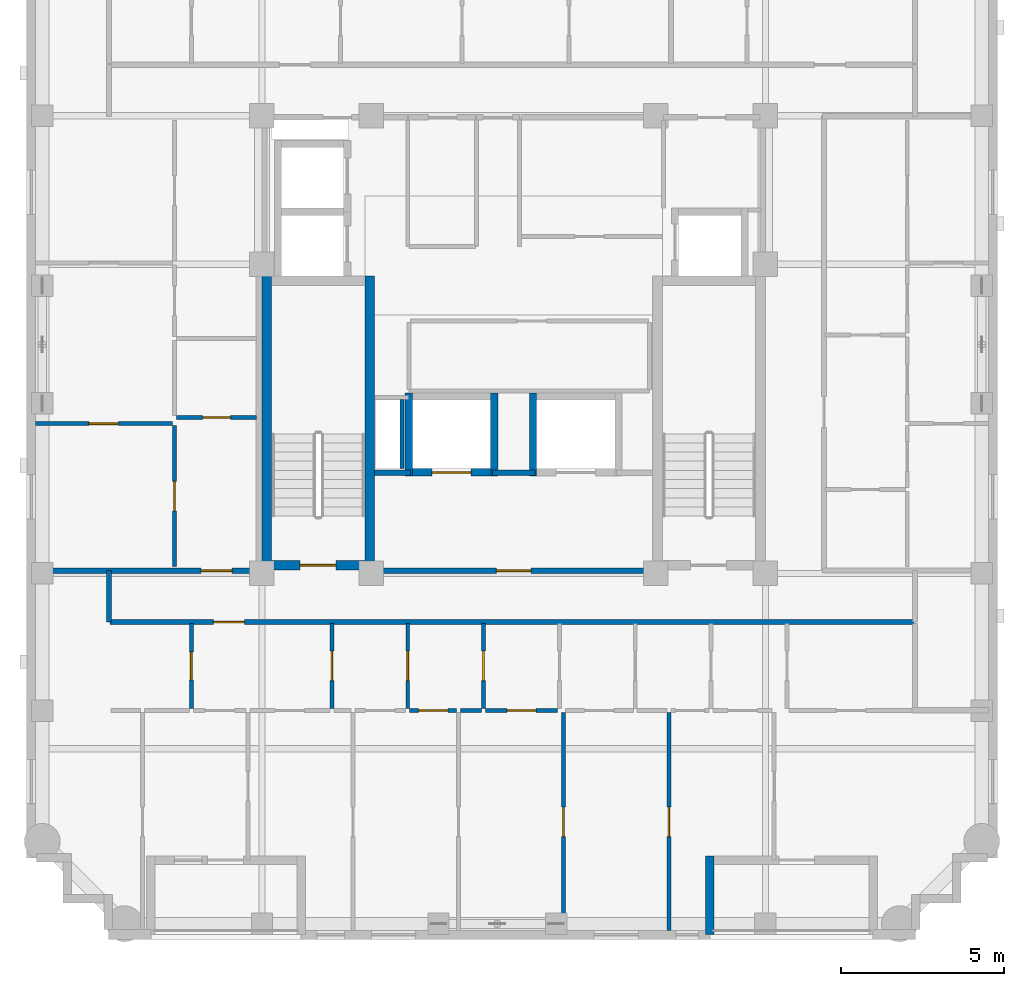
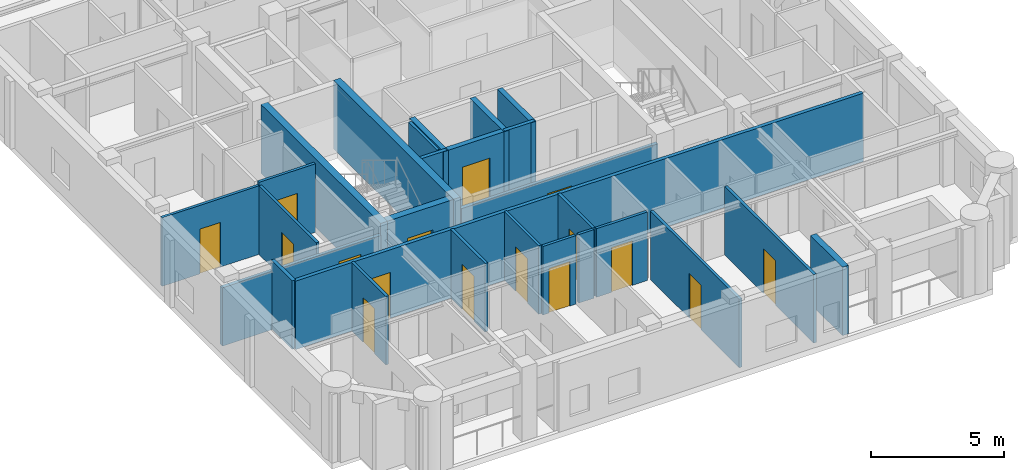
# One storey, part 3 of 11: 27 walls, 16 doors, 16 openings.
"""IFC4 building model written with IfcOpenShell, lengths in metres."""

from ifc_helpers import new_model, si_unit, derived_unit, direction, frame, frame_2d, origin, place, context, subcontext, project, spatial, rectangle, extrude, material, layer, layer_set, type_object, element, fill, save


model = new_model("IFC4")

# Units and contexts
model_context = context("Model", 3, precision=1e-05, world=origin(), true_north=direction((0.0, 1.0)))
body_context = subcontext(model_context, "Body", "Model", "MODEL_VIEW")
ifc_project = project(units=[si_unit("LENGTHUNIT", "METRE"), si_unit("AREAUNIT", "SQUARE_METRE"), si_unit("VOLUMEUNIT", "CUBIC_METRE"), si_unit("PLANEANGLEUNIT", "RADIAN"), si_unit("MASSUNIT", "GRAM", prefix="KILO"), derived_unit("THERMALTRANSMITTANCEUNIT", [(si_unit("MASSUNIT", "GRAM", prefix="KILO"), 1), (si_unit("TIMEUNIT", "SECOND"), -3), (si_unit("THERMODYNAMICTEMPERATUREUNIT", "KELVIN"), -1)])], contexts=[model_context])

# Site, building, storey
site_placement = place(None, origin())
site = spatial("IfcSite", under=ifc_project, at=site_placement, CompositionType="ELEMENT")
building_placement = place(site_placement, origin())
building = spatial("IfcBuilding", under=site, at=building_placement, Name="Korrvale Station Residences", CompositionType="ELEMENT")
storey_placement = place(building_placement, frame((0.0, 0.0, 227.5)))
storey = spatial("IfcBuildingStorey", under=building, at=storey_placement, Name="L66", CompositionType="ELEMENT", Elevation=227.5)

# Walls
ifc_material_1 = material(Name="Concrete C50/60", Category="concrete")
ifc_layer_1 = layer(ifc_material_1, 0.300048828125, Name="Concrete C50/60")
ifc_layer_set_1 = layer_set([ifc_layer_1], Name="Concrete C50/60")
wall_type_1 = type_object("IfcWallType", Name="WAL-CORE-300-C50", PredefinedType="SHEAR", material=ifc_layer_set_1)
for number, where, z_axis, x_axis, name in (
    (1, (17.949951171875, 15.10009765625, 0.0), (0.0, 0.0, 1.0), (0.0, 1.0, 0.0), "L66 ST-1 Core Shear Wall West"),
    (2, (21.10009765625, 15.10009765625, 0.0), (0.0, 0.0, 1.0), (0.0, 1.0, 0.0), "L66 ST-1 Core Shear Wall East"),
):
    element("IfcWall", number, at=place(storey_placement, frame(where, z_axis=z_axis, x_axis=x_axis)), inside=storey, type_object=wall_type_1, Name=name, PredefinedType="SHEAR", context=body_context, shape_type="SweptSolid", body=[
        extrude(rectangle(XDim=9.0, YDim=0.300048828125, at=frame_2d((4.5, 0.0))), origin(), (0.0, 0.0, 1.0), 3.139892578125),
    ])

# Wall, opening, door
wall_1_placement = place(storey_placement, frame((18.10009765625, 15.25, 0.0), z_axis=(0.0, 0.0, 1.0), x_axis=(1.0, 0.0, 0.0)))
wall_1 = element("IfcWall", 3, at=wall_1_placement, inside=storey, type_object=wall_type_1, Name="L66 ST-1 Core Shear Wall South", PredefinedType="SHEAR", context=body_context, shape_type="SweptSolid", body=[
    extrude(rectangle(XDim=2.849853515625, YDim=0.300048828125, at=frame_2d((1.4248046875, 0.0))), origin(), (0.0, 0.0, 1.0), 3.139892578125),
])
opening_1_placement = place(wall_1_placement, frame((0.860107421875, 0.0, 0.0)))
opening_1 = element("IfcOpeningElement", 4, at=opening_1_placement, cuts=wall_1, Name="Opening SD-1100", PredefinedType="OPENING", context=body_context, shape_type="SweptSolid", body=[
    extrude(rectangle(XDim=1.10009765625, YDim=2.050048828125, at=frame_2d((0.550048828125, 1.02490234375))), frame((0.0, 0.16015625, 0.0), z_axis=(0.0, -1.0, 0.0), x_axis=(1.0, 0.0, 0.0)), (0.0, 0.0, 1.0), 0.320068359375),
])
ifc_material_2 = material(Name="Hollow-metal fire-rated stair door with closer", Category="steel")
door_type_1 = type_object("IfcDoorType", Name="DR-STAIR-1100", OperationType="NOTDEFINED", PredefinedType="DOOR", material=ifc_material_2)
door_1_placement = place(opening_1_placement, origin())
door_1 = element("IfcDoor", 5, at=door_1_placement, inside=storey, type_object=door_type_1, Name="L66 ST-1 Exit Stair Door", OperationType="SINGLE_SWING_LEFT", OverallHeight=2.050048828125, OverallWidth=1.10009765625, PredefinedType="DOOR", context=body_context, shape_type="SweptSolid", body=[
    extrude(rectangle(XDim=1.10009765625, YDim=2.050048828125, at=frame_2d((0.550048828125, 1.02490234375))), frame((0.0, 0.02490234375, 0.0), z_axis=(0.0, -1.0, 0.0), x_axis=(1.0, 0.0, 0.0)), (0.0, 0.0, 1.0), 0.050048828125),
])
fill(opening_1, door_1)

# Walls
ifc_material_3 = material(Name="Precast concrete C45/55", Category="concrete")
ifc_layer_2 = layer(ifc_material_3, 0.260009765625, Name="Precast concrete C45/55")
ifc_layer_set_2 = layer_set([ifc_layer_2], Name="Precast concrete C45/55")
wall_type_2 = type_object("IfcWallType", Name="WAL-EXT-LOG260", PredefinedType="SOLIDWALL", material=ifc_layer_set_2)
wall_2_placement = place(storey_placement, frame((31.5, 6.360107421875, 0.0), z_axis=(0.0, 0.0, 1.0), x_axis=(0.0, -1.0, 0.0)))
element("IfcWall", 6, at=wall_2_placement, inside=storey, type_object=wall_type_2, Name="L66 Recessed Loggia Wall BAL-L66-S2-R", PredefinedType="SOLIDWALL", context=body_context, shape_type="SweptSolid", body=[
    extrude(rectangle(XDim=2.400146484375, YDim=0.260009765625, at=frame_2d((1.2001953125, 0.0))), origin(), (0.0, 0.0, 1.0), 3.139892578125),
])
ifc_material_4 = material(Name="Acoustic steel-stud gypsum board partition", Category="steel")
ifc_layer_3 = layer(ifc_material_4, 0.1201171875, Name="Acoustic steel-stud gypsum board partition")
ifc_layer_set_3 = layer_set([ifc_layer_3], Name="Acoustic steel-stud gypsum board partition")
wall_type_3 = type_object("IfcWallType", Name="WAL-PART-125", PredefinedType="PARTITIONING", material=ifc_layer_set_3)
wall_3_placement = place(storey_placement, frame((22.080078125, 18.199951171875, 0.0), z_axis=(0.0, 0.0, 1.0), x_axis=(0.0, 1.0, 0.0)))
element("IfcWall", 7, at=wall_3_placement, inside=storey, type_object=wall_type_3, Name="L66 Core Partition CW-RSWT", PredefinedType="PARTITIONING", context=body_context, shape_type="SweptSolid", body=[
    extrude(rectangle(XDim=2.1201171875, YDim=0.1201171875, at=frame_2d((1.06005859375, 0.0))), origin(), (0.0, 0.0, 1.0), 3.139892578125),
])

# Wall, opening, door
wall_4_placement = place(storey_placement, frame((15.639892578125, 10.8701171875, 0.0), z_axis=(0.0, 0.0, 1.0), x_axis=(0.0, 1.0, 0.0)))
wall_4 = element("IfcWall", 8, at=wall_4_placement, inside=storey, type_object=wall_type_3, Name="L66 Suite Partition U01-V01", PredefinedType="PARTITIONING", context=body_context, shape_type="SweptSolid", body=[
    extrude(rectangle(XDim=2.599853515625, YDim=0.1201171875, at=frame_2d((1.2998046875, 0.0))), origin(), (0.0, 0.0, 1.0), 3.139892578125),
])
opening_2_placement = place(wall_4_placement, frame((0.8701171875, 0.0, 0.0)))
opening_2 = element("IfcOpeningElement", 9, at=opening_2_placement, cuts=wall_4, Name="Opening DB-860", PredefinedType="OPENING", context=body_context, shape_type="SweptSolid", body=[
    extrude(rectangle(XDim=0.860107421875, YDim=2.050048828125, at=frame_2d((0.43017578125, 1.02490234375))), frame((0.0, 0.070068359375, 0.0), z_axis=(0.0, -1.0, 0.0), x_axis=(1.0, 0.0, 0.0)), (0.0, 0.0, 1.0), 0.14013671875),
])
ifc_material_5 = material(Name="Moisture-resistant solid-core bathroom door", Category="timber")
door_type_2 = type_object("IfcDoorType", Name="DR-BATH-860", OperationType="NOTDEFINED", PredefinedType="DOOR", material=ifc_material_5)
door_2_placement = place(opening_2_placement, origin())
door_2 = element("IfcDoor", 10, at=door_2_placement, inside=storey, type_object=door_type_2, Name="L66 Studio Apartment L66-U01 Bathroom Door", OperationType="SINGLE_SWING_LEFT", OverallHeight=2.050048828125, OverallWidth=0.860107421875, PredefinedType="DOOR", context=body_context, shape_type="SweptSolid", body=[
    extrude(rectangle(XDim=0.860107421875, YDim=2.050048828125, at=frame_2d((0.43017578125, 1.02490234375))), frame((0.0, 0.02490234375, 0.0), z_axis=(0.0, -1.0, 0.0), x_axis=(1.0, 0.0, 0.0)), (0.0, 0.0, 1.0), 0.050048828125),
])
fill(opening_2, door_2)

wall_5_placement = place(storey_placement, frame((19.93994140625, 10.8701171875, 0.0), z_axis=(0.0, 0.0, 1.0), x_axis=(0.0, 1.0, 0.0)))
wall_5 = element("IfcWall", 11, at=wall_5_placement, inside=storey, type_object=wall_type_3, Name="L66 Suite Partition U01-V12", PredefinedType="PARTITIONING", context=body_context, shape_type="SweptSolid", body=[
    extrude(rectangle(XDim=2.599853515625, YDim=0.1201171875, at=frame_2d((1.2998046875, 0.0))), origin(), (0.0, 0.0, 1.0), 3.139892578125),
])
opening_3_placement = place(wall_5_placement, frame((0.85009765625, 0.0, 0.0)))
opening_3 = element("IfcOpeningElement", 12, at=opening_3_placement, cuts=wall_5, Name="Opening DI-900", PredefinedType="OPENING", context=body_context, shape_type="SweptSolid", body=[
    extrude(rectangle(XDim=0.89990234375, YDim=2.050048828125, at=frame_2d((0.449951171875, 1.02490234375))), frame((0.0, 0.070068359375, 0.0), z_axis=(0.0, -1.0, 0.0), x_axis=(1.0, 0.0, 0.0)), (0.0, 0.0, 1.0), 0.14013671875),
])
ifc_material_6 = material(Name="Painted solid-core timber interior room door", Category="wood")
door_type_3 = type_object("IfcDoorType", Name="DR-INT-900", OperationType="NOTDEFINED", PredefinedType="DOOR", material=ifc_material_6)
door_3_placement = place(opening_3_placement, origin())
door_3 = element("IfcDoor", 13, at=door_3_placement, inside=storey, type_object=door_type_3, Name="L66 Studio Apartment L66-U01 Kitchen Door", OperationType="SINGLE_SWING_RIGHT", OverallHeight=2.050048828125, OverallWidth=0.89990234375, PredefinedType="DOOR", context=body_context, shape_type="SweptSolid", body=[
    extrude(rectangle(XDim=0.89990234375, YDim=2.050048828125, at=frame_2d((0.449951171875, 1.02490234375))), frame((0.0, 0.02490234375, 0.0), z_axis=(0.0, -1.0, 0.0), x_axis=(1.0, 0.0, 0.0)), (0.0, 0.0, 1.0), 0.050048828125),
])
fill(opening_3, door_3)

wall_6_placement = place(storey_placement, frame((22.260009765625, 10.8701171875, 0.0), z_axis=(0.0, 0.0, 1.0), x_axis=(0.0, 1.0, 0.0)))
wall_6 = element("IfcWall", 14, at=wall_6_placement, inside=storey, type_object=wall_type_3, Name="L66 Suite Partition U01-V23", PredefinedType="PARTITIONING", context=body_context, shape_type="SweptSolid", body=[
    extrude(rectangle(XDim=2.599853515625, YDim=0.1201171875, at=frame_2d((1.2998046875, 0.0))), origin(), (0.0, 0.0, 1.0), 3.139892578125),
])
opening_4_placement = place(wall_6_placement, frame((0.85009765625, 0.0, 0.0)))
opening_4 = element("IfcOpeningElement", 15, at=opening_4_placement, cuts=wall_6, Name="Opening DI-900", PredefinedType="OPENING", context=body_context, shape_type="SweptSolid", body=[
    extrude(rectangle(XDim=0.89990234375, YDim=2.050048828125, at=frame_2d((0.449951171875, 1.02490234375))), frame((0.0, 0.070068359375, 0.0), z_axis=(0.0, -1.0, 0.0), x_axis=(1.0, 0.0, 0.0)), (0.0, 0.0, 1.0), 0.14013671875),
])
door_4_placement = place(opening_4_placement, origin())
door_4 = element("IfcDoor", 16, at=door_4_placement, inside=storey, type_object=door_type_3, Name="L66 Studio Apartment L66-U01 Wardrobe Storage Room Door", OperationType="SINGLE_SWING_LEFT", OverallHeight=2.050048828125, OverallWidth=0.89990234375, PredefinedType="DOOR", context=body_context, shape_type="SweptSolid", body=[
    extrude(rectangle(XDim=0.89990234375, YDim=2.050048828125, at=frame_2d((0.449951171875, 1.02490234375))), frame((0.0, 0.02490234375, 0.0), z_axis=(0.0, -1.0, 0.0), x_axis=(1.0, 0.0, 0.0)), (0.0, 0.0, 1.0), 0.050048828125),
])
fill(opening_4, door_4)

wall_7_placement = place(storey_placement, frame((24.580078125, 10.8701171875, 0.0), z_axis=(0.0, 0.0, 1.0), x_axis=(0.0, 1.0, 0.0)))
wall_7 = element("IfcWall", 17, at=wall_7_placement, inside=storey, type_object=wall_type_3, Name="L66 Suite Partition U01-V34", PredefinedType="PARTITIONING", context=body_context, shape_type="SweptSolid", body=[
    extrude(rectangle(XDim=2.599853515625, YDim=0.1201171875, at=frame_2d((1.2998046875, 0.0))), origin(), (0.0, 0.0, 1.0), 3.139892578125),
])
opening_5_placement = place(wall_7_placement, frame((0.85009765625, 0.0, 0.0)))
opening_5 = element("IfcOpeningElement", 18, at=opening_5_placement, cuts=wall_7, Name="Opening DI-900", PredefinedType="OPENING", context=body_context, shape_type="SweptSolid", body=[
    extrude(rectangle(XDim=0.89990234375, YDim=2.050048828125, at=frame_2d((0.449951171875, 1.02490234375))), frame((0.0, 0.070068359375, 0.0), z_axis=(0.0, -1.0, 0.0), x_axis=(1.0, 0.0, 0.0)), (0.0, 0.0, 1.0), 0.14013671875),
])
door_5_placement = place(opening_5_placement, origin())
door_5 = element("IfcDoor", 19, at=door_5_placement, inside=storey, type_object=door_type_3, Name="L66 Studio Apartment L66-U01 Wardrobe Storage Room Door", OperationType="SINGLE_SWING_LEFT", OverallHeight=2.050048828125, OverallWidth=0.89990234375, PredefinedType="DOOR", context=body_context, shape_type="SweptSolid", body=[
    extrude(rectangle(XDim=0.89990234375, YDim=2.050048828125, at=frame_2d((0.449951171875, 1.02490234375))), frame((0.0, 0.02490234375, 0.0), z_axis=(0.0, -1.0, 0.0), x_axis=(1.0, 0.0, 0.0)), (0.0, 0.0, 1.0), 0.050048828125),
])
fill(opening_5, door_5)

wall_8_placement = place(storey_placement, frame((22.320068359375, 10.81005859375, 0.0), z_axis=(0.0, 0.0, 1.0), x_axis=(1.0, 0.0, 0.0)))
wall_8 = element("IfcWall", 20, at=wall_8_placement, inside=storey, type_object=wall_type_3, Name="L66 Suite Partition U01-H312", PredefinedType="PARTITIONING", context=body_context, shape_type="SweptSolid", body=[
    extrude(rectangle(XDim=1.429931640625, YDim=0.1201171875, at=frame_2d((0.71484375, 0.0))), origin(), (0.0, 0.0, 1.0), 3.139892578125),
])
opening_6_placement = place(wall_8_placement, frame((0.264892578125, 0.0, 0.0)))
opening_6 = element("IfcOpeningElement", 21, at=opening_6_placement, cuts=wall_8, Name="Opening DI-900", PredefinedType="OPENING", context=body_context, shape_type="SweptSolid", body=[
    extrude(rectangle(XDim=0.89990234375, YDim=2.050048828125, at=frame_2d((0.449951171875, 1.02490234375))), frame((0.0, 0.070068359375, 0.0), z_axis=(0.0, -1.0, 0.0), x_axis=(1.0, 0.0, 0.0)), (0.0, 0.0, 1.0), 0.14013671875),
])
door_6_placement = place(opening_6_placement, origin())
door_6 = element("IfcDoor", 22, at=door_6_placement, inside=storey, type_object=door_type_3, Name="L66 Studio Apartment L66-U01 Wardrobe Storage Room Door", OperationType="SINGLE_SWING_RIGHT", OverallHeight=2.050048828125, OverallWidth=0.89990234375, PredefinedType="DOOR", context=body_context, shape_type="SweptSolid", body=[
    extrude(rectangle(XDim=0.89990234375, YDim=2.050048828125, at=frame_2d((0.449951171875, 1.02490234375))), frame((0.0, 0.02490234375, 0.0), z_axis=(0.0, -1.0, 0.0), x_axis=(1.0, 0.0, 0.0)), (0.0, 0.0, 1.0), 0.050048828125),
])
fill(opening_6, door_6)

# Wall
wall_9_placement = place(storey_placement, frame((23.8701171875, 10.81005859375, 0.0), z_axis=(0.0, 0.0, 1.0), x_axis=(1.0, 0.0, 0.0)))
element("IfcWall", 23, at=wall_9_placement, inside=storey, type_object=wall_type_3, Name="L66 Suite Partition U01-H313", PredefinedType="PARTITIONING", context=body_context, shape_type="SweptSolid", body=[
    extrude(rectangle(XDim=0.64990234375, YDim=0.1201171875, at=frame_2d((0.324951171875, 0.0))), origin(), (0.0, 0.0, 1.0), 3.139892578125),
])

# Wall, opening, door
wall_10_placement = place(storey_placement, frame((24.639892578125, 10.81005859375, 0.0), z_axis=(0.0, 0.0, 1.0), x_axis=(1.0, 0.0, 0.0)))
wall_10 = element("IfcWall", 24, at=wall_10_placement, inside=storey, type_object=wall_type_3, Name="L66 Suite Partition U01-H413", PredefinedType="PARTITIONING", context=body_context, shape_type="SweptSolid", body=[
    extrude(rectangle(XDim=2.2001953125, YDim=0.1201171875, at=frame_2d((1.10009765625, 0.0))), origin(), (0.0, 0.0, 1.0), 3.139892578125),
])
opening_7_placement = place(wall_10_placement, frame((0.64990234375, 0.0, 0.0)))
opening_7 = element("IfcOpeningElement", 25, at=opening_7_placement, cuts=wall_10, Name="Opening DI-900", PredefinedType="OPENING", context=body_context, shape_type="SweptSolid", body=[
    extrude(rectangle(XDim=0.89990234375, YDim=2.050048828125, at=frame_2d((0.449951171875, 1.02490234375))), frame((0.0, 0.070068359375, 0.0), z_axis=(0.0, -1.0, 0.0), x_axis=(1.0, 0.0, 0.0)), (0.0, 0.0, 1.0), 0.14013671875),
])
door_7_placement = place(opening_7_placement, origin())
door_7 = element("IfcDoor", 26, at=door_7_placement, inside=storey, type_object=door_type_3, Name="L66 Studio Apartment L66-U01 Wardrobe Storage Room Door", OperationType="SINGLE_SWING_RIGHT", OverallHeight=2.050048828125, OverallWidth=0.89990234375, PredefinedType="DOOR", context=body_context, shape_type="SweptSolid", body=[
    extrude(rectangle(XDim=0.89990234375, YDim=2.050048828125, at=frame_2d((0.449951171875, 1.02490234375))), frame((0.0, 0.02490234375, 0.0), z_axis=(0.0, -1.0, 0.0), x_axis=(1.0, 0.0, 0.0)), (0.0, 0.0, 1.0), 0.050048828125),
])
fill(opening_7, door_7)

wall_11_placement = place(storey_placement, frame((27.030029296875, 4.080078125, 0.0), z_axis=(0.0, 0.0, 1.0), x_axis=(0.0, 1.0, 0.0)))
wall_11 = element("IfcWall", 27, at=wall_11_placement, inside=storey, type_object=wall_type_3, Name="L66 Suite Partition U01-V1314", PredefinedType="PARTITIONING", context=body_context, shape_type="SweptSolid", body=[
    extrude(rectangle(XDim=6.669921875, YDim=0.1201171875, at=frame_2d((3.3349609375, 0.0))), origin(), (0.0, 0.0, 1.0), 3.139892578125),
])
opening_8_placement = place(wall_11_placement, frame((2.8701171875, 0.0, 0.0)))
opening_8 = element("IfcOpeningElement", 28, at=opening_8_placement, cuts=wall_11, Name="Opening DI-900", PredefinedType="OPENING", context=body_context, shape_type="SweptSolid", body=[
    extrude(rectangle(XDim=0.89990234375, YDim=2.050048828125, at=frame_2d((0.449951171875, 1.02490234375))), frame((0.0, 0.070068359375, 0.0), z_axis=(0.0, -1.0, 0.0), x_axis=(1.0, 0.0, 0.0)), (0.0, 0.0, 1.0), 0.14013671875),
])
door_8_placement = place(opening_8_placement, origin())
door_8 = element("IfcDoor", 29, at=door_8_placement, inside=storey, type_object=door_type_3, Name="L66 Studio Apartment L66-U01 Walk-In Wardrobe Door", OperationType="SINGLE_SWING_RIGHT", OverallHeight=2.050048828125, OverallWidth=0.89990234375, PredefinedType="DOOR", context=body_context, shape_type="SweptSolid", body=[
    extrude(rectangle(XDim=0.89990234375, YDim=2.050048828125, at=frame_2d((0.449951171875, 1.02490234375))), frame((0.0, 0.02490234375, 0.0), z_axis=(0.0, -1.0, 0.0), x_axis=(1.0, 0.0, 0.0)), (0.0, 0.0, 1.0), 0.050048828125),
])
fill(opening_8, door_8)

wall_12_placement = place(storey_placement, frame((30.25, 4.080078125, 0.0), z_axis=(0.0, 0.0, 1.0), x_axis=(0.0, 1.0, 0.0)))
wall_12 = element("IfcWall", 30, at=wall_12_placement, inside=storey, type_object=wall_type_3, Name="L66 Suite Partition U01-V1415", PredefinedType="PARTITIONING", context=body_context, shape_type="SweptSolid", body=[
    extrude(rectangle(XDim=6.669921875, YDim=0.1201171875, at=frame_2d((3.3349609375, 0.0))), origin(), (0.0, 0.0, 1.0), 3.139892578125),
])
opening_9_placement = place(wall_12_placement, frame((2.8701171875, 0.0, 0.0)))
opening_9 = element("IfcOpeningElement", 31, at=opening_9_placement, cuts=wall_12, Name="Opening DI-900", PredefinedType="OPENING", context=body_context, shape_type="SweptSolid", body=[
    extrude(rectangle(XDim=0.89990234375, YDim=2.050048828125, at=frame_2d((0.449951171875, 1.02490234375))), frame((0.0, 0.070068359375, 0.0), z_axis=(0.0, -1.0, 0.0), x_axis=(1.0, 0.0, 0.0)), (0.0, 0.0, 1.0), 0.14013671875),
])
door_9_placement = place(opening_9_placement, origin())
door_9 = element("IfcDoor", 32, at=door_9_placement, inside=storey, type_object=door_type_3, Name="L66 Studio Apartment L66-U01 Formal Dining Room Door", OperationType="SINGLE_SWING_LEFT", OverallHeight=2.050048828125, OverallWidth=0.89990234375, PredefinedType="DOOR", context=body_context, shape_type="SweptSolid", body=[
    extrude(rectangle(XDim=0.89990234375, YDim=2.050048828125, at=frame_2d((0.449951171875, 1.02490234375))), frame((0.0, 0.02490234375, 0.0), z_axis=(0.0, -1.0, 0.0), x_axis=(1.0, 0.0, 0.0)), (0.0, 0.0, 1.0), 0.050048828125),
])
fill(opening_9, door_9)

wall_13_placement = place(storey_placement, frame((15.18994140625, 19.77001953125, 0.0), z_axis=(0.0, 0.0, 1.0), x_axis=(1.0, 0.0, 0.0)))
wall_13 = element("IfcWall", 33, at=wall_13_placement, inside=storey, type_object=wall_type_3, Name="L66 Suite Partition U04-H12", PredefinedType="PARTITIONING", context=body_context, shape_type="SweptSolid", body=[
    extrude(rectangle(XDim=2.449951171875, YDim=0.1201171875, at=frame_2d((1.22509765625, 0.0))), origin(), (0.0, 0.0, 1.0), 3.139892578125),
])
opening_10_placement = place(wall_13_placement, frame((0.794921875, 0.0, 0.0)))
opening_10 = element("IfcOpeningElement", 34, at=opening_10_placement, cuts=wall_13, Name="Opening DB-860", PredefinedType="OPENING", context=body_context, shape_type="SweptSolid", body=[
    extrude(rectangle(XDim=0.860107421875, YDim=2.050048828125, at=frame_2d((0.43017578125, 1.02490234375))), frame((0.0, 0.070068359375, 0.0), z_axis=(0.0, -1.0, 0.0), x_axis=(1.0, 0.0, 0.0)), (0.0, 0.0, 1.0), 0.14013671875),
])
door_10_placement = place(opening_10_placement, origin())
door_10 = element("IfcDoor", 35, at=door_10_placement, inside=storey, type_object=door_type_2, Name="L66 Apartment 2BR L66-U04 Bathroom Door", OperationType="SINGLE_SWING_LEFT", OverallHeight=2.050048828125, OverallWidth=0.860107421875, PredefinedType="DOOR", context=body_context, shape_type="SweptSolid", body=[
    extrude(rectangle(XDim=0.860107421875, YDim=2.050048828125, at=frame_2d((0.43017578125, 1.02490234375))), frame((0.0, 0.02490234375, 0.0), z_axis=(0.0, -1.0, 0.0), x_axis=(1.0, 0.0, 0.0)), (0.0, 0.0, 1.0), 0.050048828125),
])
fill(opening_10, door_10)

wall_14_placement = place(storey_placement, frame((15.1298828125, 15.2099609375, 0.0), z_axis=(0.0, 0.0, 1.0), x_axis=(0.0, 1.0, 0.0)))
wall_14 = element("IfcWall", 36, at=wall_14_placement, inside=storey, type_object=wall_type_3, Name="L66 Suite Partition U04-V23", PredefinedType="PARTITIONING", context=body_context, shape_type="SweptSolid", body=[
    extrude(rectangle(XDim=4.30810546875, YDim=0.1201171875, at=frame_2d((2.154052734375, 0.0))), origin(), (0.0, 0.0, 1.0), 3.139892578125),
])
opening_11_placement = place(wall_14_placement, frame((1.7041015625, 0.0, 0.0)))
opening_11 = element("IfcOpeningElement", 37, at=opening_11_placement, cuts=wall_14, Name="Opening DI-900", PredefinedType="OPENING", context=body_context, shape_type="SweptSolid", body=[
    extrude(rectangle(XDim=0.89990234375, YDim=2.050048828125, at=frame_2d((0.449951171875, 1.02490234375))), frame((0.0, 0.070068359375, 0.0), z_axis=(0.0, -1.0, 0.0), x_axis=(1.0, 0.0, 0.0)), (0.0, 0.0, 1.0), 0.14013671875),
])
door_11_placement = place(opening_11_placement, origin())
door_11 = element("IfcDoor", 38, at=door_11_placement, inside=storey, type_object=door_type_3, Name="L66 Apartment 2BR L66-U04 Kitchen Door", OperationType="SINGLE_SWING_RIGHT", OverallHeight=2.050048828125, OverallWidth=0.89990234375, PredefinedType="DOOR", context=body_context, shape_type="SweptSolid", body=[
    extrude(rectangle(XDim=0.89990234375, YDim=2.050048828125, at=frame_2d((0.449951171875, 1.02490234375))), frame((0.0, 0.02490234375, 0.0), z_axis=(0.0, -1.0, 0.0), x_axis=(1.0, 0.0, 0.0)), (0.0, 0.0, 1.0), 0.050048828125),
])
fill(opening_11, door_11)

wall_15_placement = place(storey_placement, frame((10.8798828125, 19.577880859375, 0.0), z_axis=(0.0, 0.0, 1.0), x_axis=(1.0, 0.0, 0.0)))
wall_15 = element("IfcWall", 39, at=wall_15_placement, inside=storey, type_object=wall_type_3, Name="L66 Suite Partition U04-H34", PredefinedType="PARTITIONING", context=body_context, shape_type="SweptSolid", body=[
    extrude(rectangle(XDim=4.190185546875, YDim=0.1201171875, at=frame_2d((2.09521484375, 0.0))), origin(), (0.0, 0.0, 1.0), 3.139892578125),
])
opening_12_placement = place(wall_15_placement, frame((1.6298828125, 0.0, 0.0)))
opening_12 = element("IfcOpeningElement", 40, at=opening_12_placement, cuts=wall_15, Name="Opening DI-900", PredefinedType="OPENING", context=body_context, shape_type="SweptSolid", body=[
    extrude(rectangle(XDim=0.89990234375, YDim=2.050048828125, at=frame_2d((0.449951171875, 1.02490234375))), frame((0.0, 0.070068359375, 0.0), z_axis=(0.0, -1.0, 0.0), x_axis=(1.0, 0.0, 0.0)), (0.0, 0.0, 1.0), 0.14013671875),
])
door_12_placement = place(opening_12_placement, origin())
door_12 = element("IfcDoor", 41, at=door_12_placement, inside=storey, type_object=door_type_3, Name="L66 Apartment 2BR L66-U04 Bedroom 1 Door", OperationType="SINGLE_SWING_LEFT", OverallHeight=2.050048828125, OverallWidth=0.89990234375, PredefinedType="DOOR", context=body_context, shape_type="SweptSolid", body=[
    extrude(rectangle(XDim=0.89990234375, YDim=2.050048828125, at=frame_2d((0.449951171875, 1.02490234375))), frame((0.0, 0.02490234375, 0.0), z_axis=(0.0, -1.0, 0.0), x_axis=(1.0, 0.0, 0.0)), (0.0, 0.0, 1.0), 0.050048828125),
])
fill(opening_12, door_12)

ifc_material_7 = material(Name="Fire-rated twin-stud gypsum and mineral wool shaftwall assembly", Category="gypsum")
ifc_layer_4 = layer(ifc_material_7, 0.159912109375, Name="Fire-rated twin-stud gypsum and mineral wool shaftwall assembly")
ifc_layer_set_4 = layer_set([ifc_layer_4], Name="Fire-rated twin-stud gypsum and mineral wool shaftwall assembly")
wall_type_4 = type_object("IfcWallType", Name="WAL-PART-200", PredefinedType="PARTITIONING", material=ifc_layer_set_4)
wall_16_placement = place(storey_placement, frame((21.25, 15.080078125, 0.0), z_axis=(0.0, 0.0, 1.0), x_axis=(1.0, 0.0, 0.0)))
wall_16 = element("IfcWall", 42, at=wall_16_placement, inside=storey, type_object=wall_type_4, Name="L66 Core Partition CW-FFL-S", PredefinedType="PARTITIONING", context=body_context, shape_type="SweptSolid", body=[
    extrude(rectangle(XDim=8.5, YDim=0.159912109375, at=frame_2d((4.25, 0.0))), origin(), (0.0, 0.0, 1.0), 2.66796875),
])
opening_13_placement = place(wall_16_placement, frame((3.72509765625, 0.0, 0.0)))
opening_13 = element("IfcOpeningElement", 43, at=opening_13_placement, cuts=wall_16, Name="Opening FD-1050", PredefinedType="OPENING", context=body_context, shape_type="SweptSolid", body=[
    extrude(rectangle(XDim=1.050048828125, YDim=2.050048828125, at=frame_2d((0.52490234375, 1.02490234375))), frame((0.0, 0.08984375, 0.0), z_axis=(0.0, -1.0, 0.0), x_axis=(1.0, 0.0, 0.0)), (0.0, 0.0, 1.0), 0.179931640625),
])
ifc_material_8 = material(Name="Fire-rated mineral-core timber lobby door", Category="wood")
door_type_4 = type_object("IfcDoorType", Name="DR-CORE-1050", OperationType="NOTDEFINED", PredefinedType="DOOR", material=ifc_material_8)
door_13_placement = place(opening_13_placement, origin())
door_13 = element("IfcDoor", 44, at=door_13_placement, inside=storey, type_object=door_type_4, Name="L66 Firefighting Lobby Entry Door", OperationType="SINGLE_SWING_RIGHT", OverallHeight=2.050048828125, OverallWidth=1.050048828125, PredefinedType="DOOR", context=body_context, shape_type="SweptSolid", body=[
    extrude(rectangle(XDim=1.050048828125, YDim=2.050048828125, at=frame_2d((0.52490234375, 1.02490234375))), frame((0.0, 0.02490234375, 0.0), z_axis=(0.0, -1.0, 0.0), x_axis=(1.0, 0.0, 0.0)), (0.0, 0.0, 1.0), 0.050048828125),
])
fill(opening_13, door_13)

# Walls
wall_17_placement = place(storey_placement, frame((21.25, 18.080078125, 0.0), z_axis=(0.0, 0.0, 1.0), x_axis=(1.0, 0.0, 0.0)))
element("IfcWall", 45, at=wall_17_placement, inside=storey, type_object=wall_type_4, Name="L66 Core Partition CW-FFL-N1", PredefinedType="PARTITIONING", context=body_context, shape_type="SweptSolid", body=[
    extrude(rectangle(XDim=1.10009765625, YDim=0.159912109375, at=frame_2d((0.550048828125, 0.0))), origin(), (0.0, 0.0, 1.0), 3.139892578125),
])
wall_18_placement = place(storey_placement, frame((24.85009765625, 18.080078125, 0.0), z_axis=(0.0, 0.0, 1.0), x_axis=(1.0, 0.0, 0.0)))
element("IfcWall", 46, at=wall_18_placement, inside=storey, type_object=wall_type_4, Name="L66 Core Partition CW-FFL-N2", PredefinedType="PARTITIONING", context=body_context, shape_type="SweptSolid", body=[
    extrude(rectangle(XDim=1.2998046875, YDim=0.159912109375, at=frame_2d((0.64990234375, 0.0))), origin(), (0.0, 0.0, 1.0), 3.139892578125),
])
wall_19_placement = place(storey_placement, frame((13.1201171875, 13.510009765625, 0.0), z_axis=(0.0, 0.0, 1.0), x_axis=(0.0, 1.0, 0.0)))
element("IfcWall", 47, at=wall_19_placement, inside=storey, type_object=wall_type_4, Name="L66 Corridor South West Cap", PredefinedType="PARTITIONING", context=body_context, shape_type="SweptSolid", body=[
    extrude(rectangle(XDim=1.580078125, YDim=0.159912109375, at=frame_2d((0.7900390625, 0.0))), origin(), (0.0, 0.0, 1.0), 3.139892578125),
])

# Wall, opening, door
wall_20_placement = place(storey_placement, frame((10.8798828125, 15.080078125, 0.0), z_axis=(0.0, 0.0, 1.0), x_axis=(1.0, 0.0, 0.0)))
wall_20 = element("IfcWall", 48, at=wall_20_placement, inside=storey, type_object=wall_type_4, Name="L66 Side Suite South Entry Wall U04", PredefinedType="PARTITIONING", context=body_context, shape_type="SweptSolid", body=[
    extrude(rectangle(XDim=6.880126953125, YDim=0.159912109375, at=frame_2d((3.43994140625, 0.0))), origin(), (0.0, 0.0, 1.0), 2.66796875),
])
opening_14_placement = place(wall_20_placement, frame((5.06005859375, 0.0, 0.0)))
opening_14 = element("IfcOpeningElement", 49, at=opening_14_placement, cuts=wall_20, Name="Opening UD-950", PredefinedType="OPENING", context=body_context, shape_type="SweptSolid", body=[
    extrude(rectangle(XDim=0.949951171875, YDim=2.10009765625, at=frame_2d((0.47509765625, 1.050048828125))), frame((0.0, 0.08984375, 0.0), z_axis=(0.0, -1.0, 0.0), x_axis=(1.0, 0.0, 0.0)), (0.0, 0.0, 1.0), 0.179931640625),
])
ifc_material_9 = material(Name="Solid-core acoustic oak apartment entrance door", Category="timber")
door_type_5 = type_object("IfcDoorType", Name="DR-UNIT-950", OperationType="NOTDEFINED", PredefinedType="DOOR", material=ifc_material_9)
door_14_placement = place(opening_14_placement, origin())
door_14 = element("IfcDoor", 50, at=door_14_placement, inside=storey, type_object=door_type_5, Name="L66 Apartment L66-U04 Entrance Door", OperationType="SINGLE_SWING_RIGHT", OverallHeight=2.10009765625, OverallWidth=0.949951171875, PredefinedType="DOOR", context=body_context, shape_type="SweptSolid", body=[
    extrude(rectangle(XDim=0.949951171875, YDim=2.10009765625, at=frame_2d((0.47509765625, 1.050048828125))), frame((0.0, 0.02490234375, 0.0), z_axis=(0.0, -1.0, 0.0), x_axis=(1.0, 0.0, 0.0)), (0.0, 0.0, 1.0), 0.050048828125),
])
fill(opening_14, door_14)

wall_21_placement = place(storey_placement, frame((13.14990234375, 13.510009765625, 0.0), z_axis=(0.0, 0.0, 1.0), x_axis=(1.0, 0.0, 0.0)))
wall_21 = element("IfcWall", 51, at=wall_21_placement, inside=storey, type_object=wall_type_4, Name="L66 Rated Corridor Wall S", PredefinedType="PARTITIONING", context=body_context, shape_type="SweptSolid", body=[
    extrude(rectangle(XDim=24.60009765625, YDim=0.159912109375, at=frame_2d((12.300048828125, 0.0))), origin(), (0.0, 0.0, 1.0), 3.139892578125),
])
opening_15_placement = place(wall_21_placement, frame((3.1650390625, 0.0, 0.0)))
opening_15 = element("IfcOpeningElement", 52, at=opening_15_placement, cuts=wall_21, Name="Opening UD-950", PredefinedType="OPENING", context=body_context, shape_type="SweptSolid", body=[
    extrude(rectangle(XDim=0.949951171875, YDim=2.10009765625, at=frame_2d((0.47509765625, 1.050048828125))), frame((0.0, 0.08984375, 0.0), z_axis=(0.0, -1.0, 0.0), x_axis=(1.0, 0.0, 0.0)), (0.0, 0.0, 1.0), 0.179931640625),
])
door_15_placement = place(opening_15_placement, origin())
door_15 = element("IfcDoor", 53, at=door_15_placement, inside=storey, type_object=door_type_5, Name="L66 Apartment L66-U01 Entrance Door", OperationType="SINGLE_SWING_LEFT", OverallHeight=2.10009765625, OverallWidth=0.949951171875, PredefinedType="DOOR", context=body_context, shape_type="SweptSolid", body=[
    extrude(rectangle(XDim=0.949951171875, YDim=2.10009765625, at=frame_2d((0.47509765625, 1.050048828125))), frame((0.0, 0.02490234375, 0.0), z_axis=(0.0, -1.0, 0.0), x_axis=(1.0, 0.0, 0.0)), (0.0, 0.0, 1.0), 0.050048828125),
])
fill(opening_15, door_15)

ifc_layer_5 = layer(ifc_material_1, 0.219970703125, Name="Concrete C50/60")
ifc_layer_set_5 = layer_set([ifc_layer_5], Name="Concrete C50/60")
wall_type_5 = type_object("IfcWallType", Name="WAL-SHAFT-220-C50", PredefinedType="SHEAR", material=ifc_layer_set_5)
wall_22_placement = place(storey_placement, frame((22.39990234375, 18.090087890625, 0.0), z_axis=(0.0, 0.0, 1.0), x_axis=(1.0, 0.0, 0.0)))
wall_22 = element("IfcWall", 54, at=wall_22_placement, inside=storey, type_object=wall_type_5, Name="L66 Elevator FFL-1 Hoistway Wall South", PredefinedType="SHEAR", context=body_context, shape_type="SweptSolid", body=[
    extrude(rectangle(XDim=2.400146484375, YDim=0.219970703125, at=frame_2d((1.2001953125, 0.0))), origin(), (0.0, 0.0, 1.0), 3.139892578125),
])
opening_16_placement = place(wall_22_placement, frame((0.60009765625, 0.0, 0.0)))
opening_16 = element("IfcOpeningElement", 55, at=opening_16_placement, cuts=wall_22, Name="Opening LD-FF1200", PredefinedType="OPENING", context=body_context, shape_type="SweptSolid", body=[
    extrude(rectangle(XDim=1.199951171875, YDim=2.14990234375, at=frame_2d((0.60009765625, 1.074951171875))), frame((0.0, 0.1201171875, 0.0), z_axis=(0.0, -1.0, 0.0), x_axis=(1.0, 0.0, 0.0)), (0.0, 0.0, 1.0), 0.239990234375),
])
ifc_material_10 = material(Name="Stainless-steel firefighter elevator landing sliding door", Category="steel")
door_type_6 = type_object("IfcDoorType", Name="DR-LIFT-FF1200", OperationType="SLIDING_TO_LEFT", PredefinedType="DOOR", material=ifc_material_10)
door_16_placement = place(opening_16_placement, origin())
door_16 = element("IfcDoor", 56, at=door_16_placement, inside=storey, type_object=door_type_6, Name="L66 Elevator FFL-1 Sliding Landing Door", OperationType="SLIDING_TO_LEFT", OverallHeight=2.14990234375, OverallWidth=1.199951171875, PredefinedType="DOOR", context=body_context, shape_type="SweptSolid", body=[
    extrude(rectangle(XDim=1.199951171875, YDim=2.14990234375, at=frame_2d((0.60009765625, 1.074951171875))), frame((0.0, 0.02490234375, 0.0), z_axis=(0.0, -1.0, 0.0), x_axis=(1.0, 0.0, 0.0)), (0.0, 0.0, 1.0), 0.050048828125),
])
fill(opening_16, door_16)

# Walls
for number, where, z_axis, x_axis, name in (
    (57, (22.2900390625, 17.97998046875, 0.0), (0.0, 0.0, 1.0), (0.0, 1.0, 0.0), "L66 Elevator FFL-1 Hoistway Wall West"),
    (58, (24.909912109375, 17.97998046875, 0.0), (0.0, 0.0, 1.0), (0.0, 1.0, 0.0), "L66 Elevator FFL-1 Hoistway Wall East"),
    (59, (26.090087890625, 17.97998046875, 0.0), (0.0, 0.0, 1.0), (0.0, 1.0, 0.0), "L66 Elevator FFL-2 Hoistway Wall West"),
):
    element("IfcWall", number, at=place(storey_placement, frame(where, z_axis=z_axis, x_axis=x_axis)), inside=storey, type_object=wall_type_5, Name=name, PredefinedType="SHEAR", context=body_context, shape_type="SweptSolid", body=[
        extrude(rectangle(XDim=2.5400390625, YDim=0.219970703125, at=frame_2d((1.27001953125, 0.0))), origin(), (0.0, 0.0, 1.0), 3.139892578125),
    ])

save(model, "model.ifc")
